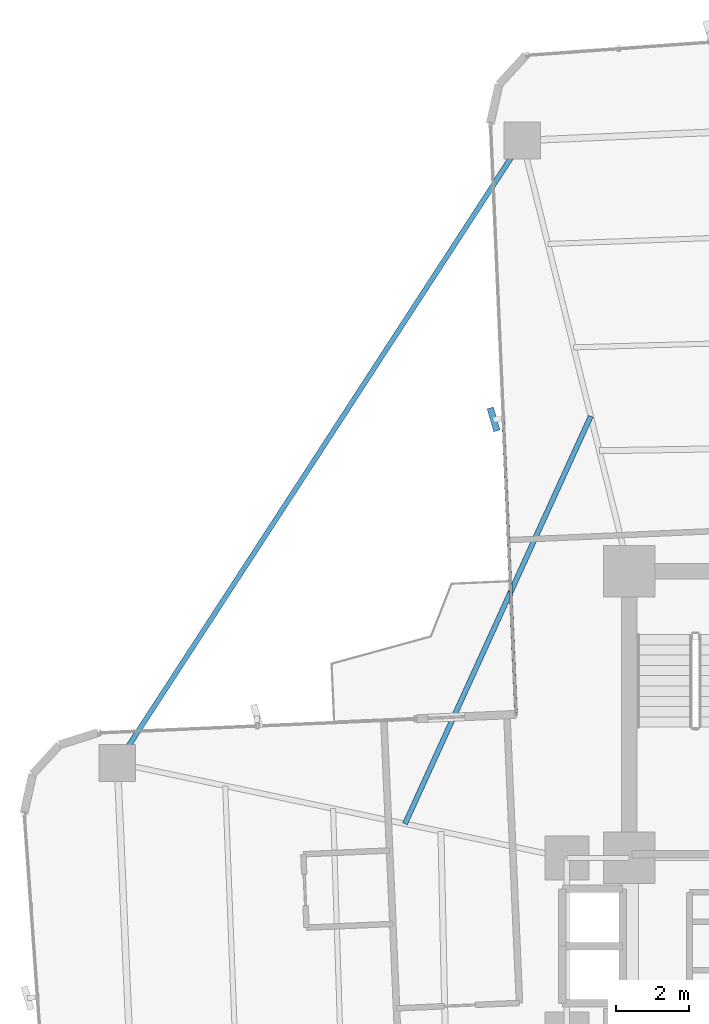
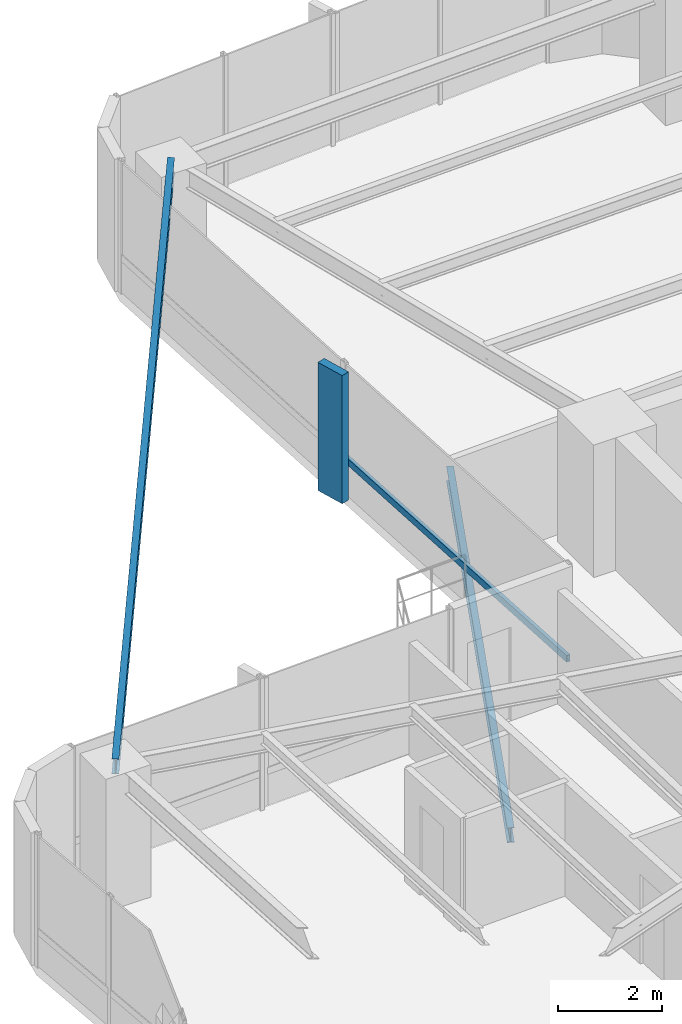
# One storey, part 16 of 26: 2 beams, 2 members, 1 element without a shape of its own.
"""IFC4 building model written with IfcOpenShell, lengths in metres."""

from ifc_helpers import new_model, si_unit, direction, frame, origin, origin_2d, place, context, subcontext, project, spatial, rectangle, hollow_rectangle, i_section, extrude, source, transform, mapped, material, material_profile, profile_set, type_object, element, aggregate, save


model = new_model("IFC4")

# Units and contexts
model_context = context("Model", 3, precision=1e-05, world=origin(), true_north=direction((0.0, 1.0)))
body_context = subcontext(model_context, "Body", "Model", "MODEL_VIEW")
ifc_project = project(units=[si_unit("LENGTHUNIT", "METRE"), si_unit("AREAUNIT", "SQUARE_METRE"), si_unit("VOLUMEUNIT", "CUBIC_METRE"), si_unit("PLANEANGLEUNIT", "RADIAN"), si_unit("MASSUNIT", "GRAM", prefix="KILO")], contexts=[model_context])

# Site, building, storey
site_placement = place(None, origin())
site = spatial("IfcSite", under=ifc_project, at=site_placement, CompositionType="ELEMENT")
building_placement = place(site_placement, origin())
building = spatial("IfcBuilding", under=site, at=building_placement, Name="Sahyath Konkavel Grand Hotel", CompositionType="ELEMENT")
storey_placement = place(building_placement, frame((0.0, 0.0, 96.89990234375)))
storey = spatial("IfcBuildingStorey", under=building, at=storey_placement, Name="L26", CompositionType="ELEMENT", Elevation=96.89990234375)

# Beam
ifc_material_1 = material(Name="Steel E350", Category="steel")
ifc_material_profile_1 = material_profile(ifc_material_1, i_section(OverallWidth=0.139892578125, OverallDepth=0.35009765625, WebThickness=0.008056640625, FlangeThickness=0.01416015625, FilletRadius=0.013916015625, at=origin_2d()), Name="ISMB 350")
ifc_profile_set_1 = profile_set([ifc_material_profile_1], Name="Steel E350")
beam_type_1 = type_object("IfcBeamType", Name="BM-ISMB350", PredefinedType="BEAM", material=ifc_profile_set_1)
shared_shape_1 = source(origin(), body_context, "Body", "SweptSolid", [
    extrude(i_section(OverallWidth=0.139892578125, OverallDepth=0.35009765625, WebThickness=0.008056640625, FlangeThickness=0.01416015625, FilletRadius=0.013916015625, at=origin_2d()), origin(), (0.0, 0.0, 1.0), 20.21533203125),
])
beam_1_placement = place(storey_placement, frame((-6.712890625, 21.927978515625, 2.93505859375), z_axis=(-0.545191244931, -0.838311700056, 0.0), x_axis=(0.838311700056, -0.545191244931, 0.0)))
element("IfcBeam", 1, at=beam_1_placement, inside=storey, type_object=beam_type_1, Name="L26 Re-Entrant Tie Beam NW", PredefinedType="BEAM", context=body_context, shape_type="MappedRepresentation", body=[
    mapped(shared_shape_1, transform((0.0, 0.0, 0.0), scale=1.0)),
])

# Curtain wall, members
ifc_material_2 = material(Name="Anodised Bronze Aluminium & Low-E Glazing", Category="aluminium")
curtain_wall_type = type_object("IfcCurtainWallType", Name="CW-ZONE2", PredefinedType="NOTDEFINED", material=ifc_material_2)
curtain_wall_placement = place(storey_placement, origin())
curtain_wall = element("IfcCurtainWall", 2, at=curtain_wall_placement, inside=storey, type_object=curtain_wall_type, Name="L26 Unitised Curtain Wall F15", PredefinedType="NOTDEFINED")
ifc_material_3 = material(Name="Warm Buff Sandstone Cladding on Concrete C50/60", Category="masonry")
ifc_material_profile_2 = material_profile(ifc_material_3, rectangle(XDim=0.179931640625, YDim=0.64990234375, at=origin_2d()), Name="FIN 180x650")
ifc_profile_set_2 = profile_set([ifc_material_profile_2], Name="Warm Buff Sandstone Cladding on Concrete C50/60")
member_type_1 = type_object("IfcMemberType", Name="FIN-SANDSTONE-650", PredefinedType="MULLION", material=ifc_profile_set_2)
shared_shape_2 = source(origin(), body_context, "Body", "SweptSolid", [
    extrude(rectangle(XDim=0.179931640625, YDim=0.64990234375, at=origin_2d()), origin(), (0.0, 0.0, 1.0), 3.010009765625),
])
member_1_placement = place(storey_placement, frame((-7.492431640625, 14.3369140625, 0.050048828125), z_axis=(0.0, 0.0, 1.0), x_axis=(0.960488224179, 0.278320626641, 0.0)))
member_1 = element("IfcMember", 3, at=member_1_placement, type_object=member_type_1, Name="L26 Sandstone Vertical Solar Fin FIN F15-1", PredefinedType="MULLION", context=body_context, shape_type="MappedRepresentation", body=[
    mapped(shared_shape_2, transform((0.0, 0.0, 0.0), scale=1.0)),
])
ifc_material_4 = material(Name="Anodised Bronze Aluminium", Category="aluminium")
ifc_material_profile_3 = material_profile(ifc_material_4, hollow_rectangle(XDim=0.080078125, YDim=0.159912109375, WallThickness=0.006103515625, at=origin_2d()), Name="RHS 160x80x6")
ifc_profile_set_3 = profile_set([ifc_material_profile_3], Name="Anodised Bronze Aluminium")
member_type_2 = type_object("IfcMemberType", Name="CW-TRN-160", PredefinedType="USERDEFINED", material=ifc_profile_set_3)
shared_shape_3 = source(origin(), body_context, "Body", "SweptSolid", [
    extrude(hollow_rectangle(XDim=0.080078125, YDim=0.159912109375, WallThickness=0.006103515625, at=origin_2d()), origin(), (0.0, 0.0, 1.0), 8.010009765625),
])
member_2_placement = place(storey_placement, frame((-7.232666015625, 14.34814453125, 0.85009765625), z_axis=(0.043615785896, -0.999048378819, 0.0), x_axis=(0.999048378819, 0.043615785896, 0.0)))
member_2 = element("IfcMember", 4, at=member_2_placement, type_object=member_type_2, Name="L26 Curtain Wall Transom F15-1-spandrel", ObjectType="TRANSOM", PredefinedType="USERDEFINED", context=body_context, shape_type="MappedRepresentation", body=[
    mapped(shared_shape_3, transform((0.0, 0.0, 0.0), scale=1.0)),
])
aggregate(curtain_wall, [member_1, member_2])

# Beam
ifc_material_profile_4 = material_profile(ifc_material_1, i_section(OverallWidth=0.139892578125, OverallDepth=0.35009765625, WebThickness=0.008056640625, FlangeThickness=0.01416015625, FilletRadius=0.013916015625, at=origin_2d()), Name="ISMB 350")
ifc_profile_set_4 = profile_set([ifc_material_profile_4], Name="Steel E350")
beam_type_2 = type_object("IfcBeamType", Name="BM-BALC-CANT", PredefinedType="BEAM", material=ifc_profile_set_4)
shared_shape_4 = source(origin(), body_context, "Body", "SweptSolid", [
    extrude(i_section(OverallWidth=0.139892578125, OverallDepth=0.35009765625, WebThickness=0.008056640625, FlangeThickness=0.01416015625, FilletRadius=0.013916015625, at=origin_2d()), origin(), (0.0, 0.0, 1.0), 12.190673828125),
])
beam_2_placement = place(storey_placement, frame((-4.8486328125, 14.422119140625, -0.414794921875), z_axis=(-0.414712580086, -0.909952458054, 0.0), x_axis=(0.909952458054, -0.414712580086, 0.0)))
element("IfcBeam", 5, at=beam_2_placement, inside=storey, type_object=beam_type_2, Name="L26 Balcony Cantilever Support Beam NW", PredefinedType="BEAM", context=body_context, shape_type="MappedRepresentation", body=[
    mapped(shared_shape_4, transform((0.0, 0.0, 0.0), scale=1.0)),
])

save(model, "model.ifc")
